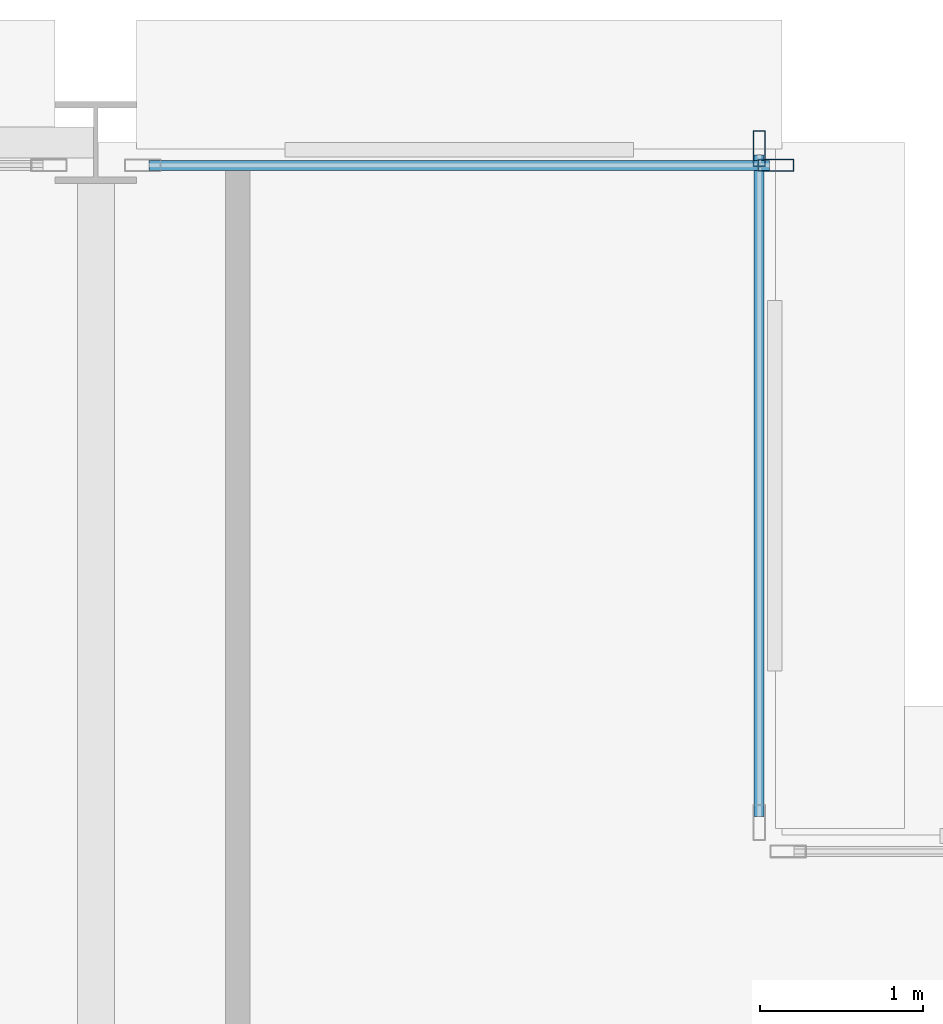
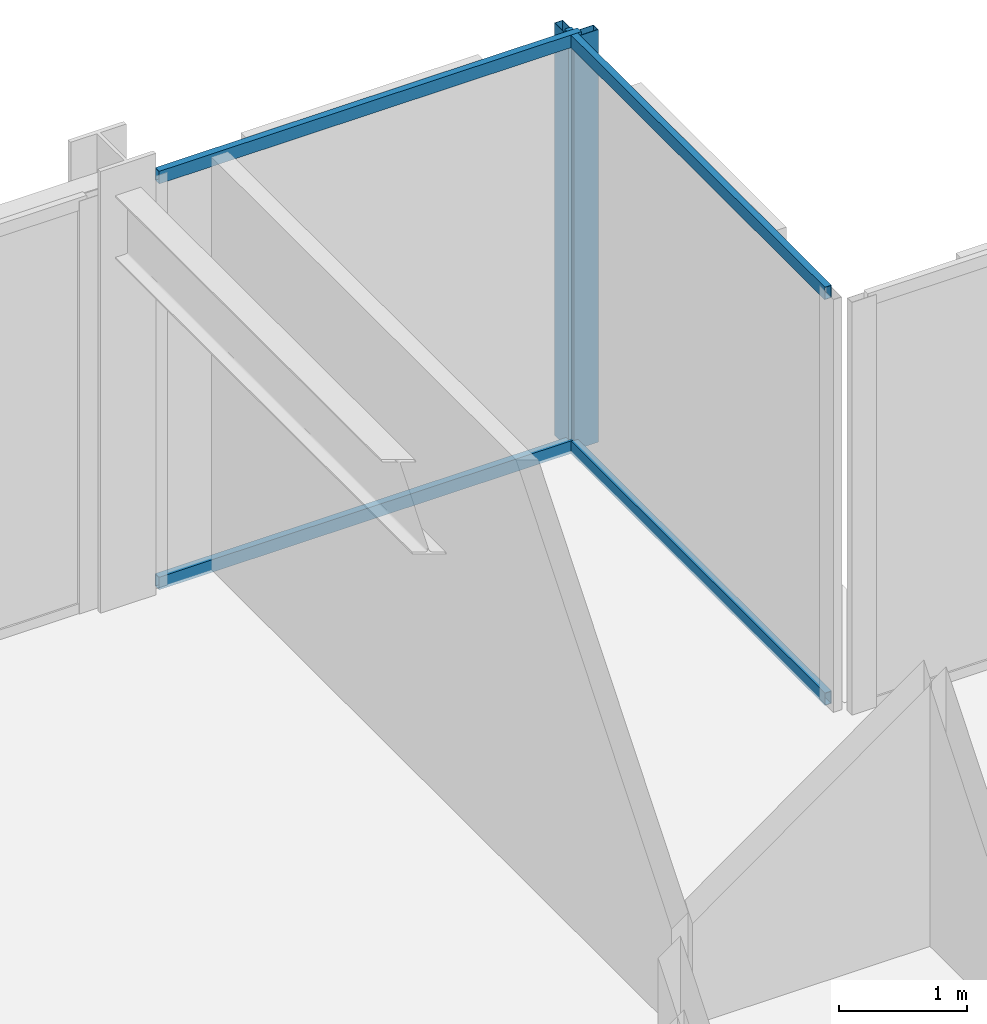
# One storey, part 18 of 25: 6 members, 2 elements without a shape of their own.
"""IFC4 building model written with IfcOpenShell, lengths in metres."""

from ifc_helpers import new_model, si_unit, direction, frame, origin, origin_2d, place, context, subcontext, project, spatial, hollow_rectangle, extrude, material, layer, layer_set, material_profile, profile_set, type_object, element, aggregate, save


model = new_model("IFC4")

# Units and contexts
model_context = context("Model", 3, precision=1e-05, world=origin(), true_north=direction((0.0, 1.0)))
body_context = subcontext(model_context, "Body", "Model", "MODEL_VIEW")
ifc_project = project(units=[si_unit("LENGTHUNIT", "METRE"), si_unit("AREAUNIT", "SQUARE_METRE"), si_unit("VOLUMEUNIT", "CUBIC_METRE"), si_unit("PLANEANGLEUNIT", "RADIAN"), si_unit("MASSUNIT", "GRAM", prefix="KILO")], contexts=[model_context])

# Site, building, storey
site_placement = place(None, origin())
site = spatial("IfcSite", under=ifc_project, at=site_placement, CompositionType="ELEMENT")
building_placement = place(site_placement, origin())
building = spatial("IfcBuilding", under=site, at=building_placement, Name="Nerrivon Quay Data Exchange", CompositionType="ELEMENT")
storey_placement = place(building_placement, frame((0.0, 0.0, 41.60009765625)))
storey = spatial("IfcBuildingStorey", under=building, at=storey_placement, Name="L09", CompositionType="ELEMENT", Elevation=41.60009765625)

# Curtain wall, member
ifc_material = material(Name="Anodised aluminium 6063-T6", Category="aluminium")
ifc_layer = layer(ifc_material, 0.219970703125)
ifc_layer_set = layer_set([ifc_layer], Name="Anodised aluminium 6063-T6")
curtain_wall_type = type_object("IfcCurtainWallType", Name="CW-SYS-01", PredefinedType="NOTDEFINED", material=ifc_layer_set)
curtain_wall_1_placement = place(storey_placement, origin())
curtain_wall_1 = element("IfcCurtainWall", 1, at=curtain_wall_1_placement, inside=storey, type_object=curtain_wall_type, Name="L09 Unitised Curtain Wall 22", PredefinedType="NOTDEFINED")
ifc_material_profile_1 = material_profile(ifc_material, hollow_rectangle(XDim=0.074951171875, YDim=0.219970703125, WallThickness=0.00390625, at=origin_2d()), Name="ALU-MULL-220x75")
ifc_profile_set_1 = profile_set([ifc_material_profile_1], Name="Anodised aluminium 6063-T6")
member_type_1 = type_object("IfcMemberType", Name="CWM-220x75", PredefinedType="MULLION", material=ifc_profile_set_1)
member_1_placement = place(storey_placement, frame((20.96240234375, 50.260009765625, 0.0), z_axis=(0.0, 0.0, 1.0), x_axis=(0.0, 1.0, 0.0)))
member_1 = element("IfcMember", 2, at=member_1_placement, type_object=member_type_1, Name="CW01 mullion 2", PredefinedType="MULLION", context=body_context, shape_type="SweptSolid", body=[
    extrude(hollow_rectangle(XDim=0.074951171875, YDim=0.219970703125, WallThickness=0.00390625, at=origin_2d()), origin(), (0.0, 0.0, 1.0), 3.9248046875),
])

curtain_wall_2_placement = place(storey_placement, origin())
curtain_wall_2 = element("IfcCurtainWall", 3, at=curtain_wall_2_placement, inside=storey, type_object=curtain_wall_type, Name="L09 Unitised Curtain Wall 23", PredefinedType="NOTDEFINED")
member_2_placement = place(storey_placement, frame((20.860107421875, 50.362548828125, 0.0), z_axis=(0.0, 0.0, 1.0), x_axis=(1.0, 0.0, 0.0)))
member_2 = element("IfcMember", 4, at=member_2_placement, type_object=member_type_1, Name="CW01 mullion 1", PredefinedType="MULLION", context=body_context, shape_type="SweptSolid", body=[
    extrude(hollow_rectangle(XDim=0.074951171875, YDim=0.219970703125, WallThickness=0.00390625, at=origin_2d()), origin(), (0.0, 0.0, 1.0), 3.9248046875),
])

# Member
ifc_material_profile_2 = material_profile(ifc_material, hollow_rectangle(XDim=0.06005859375, YDim=0.1201171875, WallThickness=0.003173828125, at=origin_2d()), Name="ALU-TRAN-120x60")
ifc_profile_set_2 = profile_set([ifc_material_profile_2], Name="Anodised aluminium 6063-T6")
member_type_2 = type_object("IfcMemberType", Name="CWT-120x60", PredefinedType="USERDEFINED", material=ifc_profile_set_2)
member_3_placement = place(storey_placement, frame((17.125, 50.260009765625, 0.032470703125), z_axis=(1.0, 0.0, 0.0), x_axis=(0.0, 1.0, 0.0)))
member_3 = element("IfcMember", 5, at=member_3_placement, type_object=member_type_2, Name="CW01 transom 1.1", ObjectType="TRANSOM", PredefinedType="USERDEFINED", context=body_context, shape_type="SweptSolid", body=[
    extrude(hollow_rectangle(XDim=0.06005859375, YDim=0.1201171875, WallThickness=0.003173828125, at=origin_2d()), origin(), (0.0, 0.0, 1.0), 3.800048828125),
])

member_4_placement = place(storey_placement, frame((17.125, 50.260009765625, 3.892333984375), z_axis=(1.0, 0.0, 0.0), x_axis=(0.0, 1.0, 0.0)))
member_4 = element("IfcMember", 6, at=member_4_placement, type_object=member_type_2, Name="CW01 transom 1.2", ObjectType="TRANSOM", PredefinedType="USERDEFINED", context=body_context, shape_type="SweptSolid", body=[
    extrude(hollow_rectangle(XDim=0.06005859375, YDim=0.1201171875, WallThickness=0.003173828125, at=origin_2d()), origin(), (0.0, 0.0, 1.0), 3.800048828125),
])

aggregate(curtain_wall_1, [member_1, member_3, member_4])

member_5_placement = place(storey_placement, frame((20.860107421875, 50.324951171875, 0.032470703125), z_axis=(0.0, -1.0, 0.0), x_axis=(1.0, 0.0, 0.0)))
member_5 = element("IfcMember", 7, at=member_5_placement, type_object=member_type_2, Name="CW01 transom 1.1", ObjectType="TRANSOM", PredefinedType="USERDEFINED", context=body_context, shape_type="SweptSolid", body=[
    extrude(hollow_rectangle(XDim=0.06005859375, YDim=0.1201171875, WallThickness=0.003173828125, at=origin_2d()), origin(), (0.0, 0.0, 1.0), 4.050048828125),
])

member_6_placement = place(storey_placement, frame((20.860107421875, 50.324951171875, 3.892333984375), z_axis=(0.0, -1.0, 0.0), x_axis=(1.0, 0.0, 0.0)))
member_6 = element("IfcMember", 8, at=member_6_placement, type_object=member_type_2, Name="CW01 transom 1.2", ObjectType="TRANSOM", PredefinedType="USERDEFINED", context=body_context, shape_type="SweptSolid", body=[
    extrude(hollow_rectangle(XDim=0.06005859375, YDim=0.1201171875, WallThickness=0.003173828125, at=origin_2d()), origin(), (0.0, 0.0, 1.0), 4.050048828125),
])

aggregate(curtain_wall_2, [member_2, member_5, member_6])

save(model, "model.ifc")
